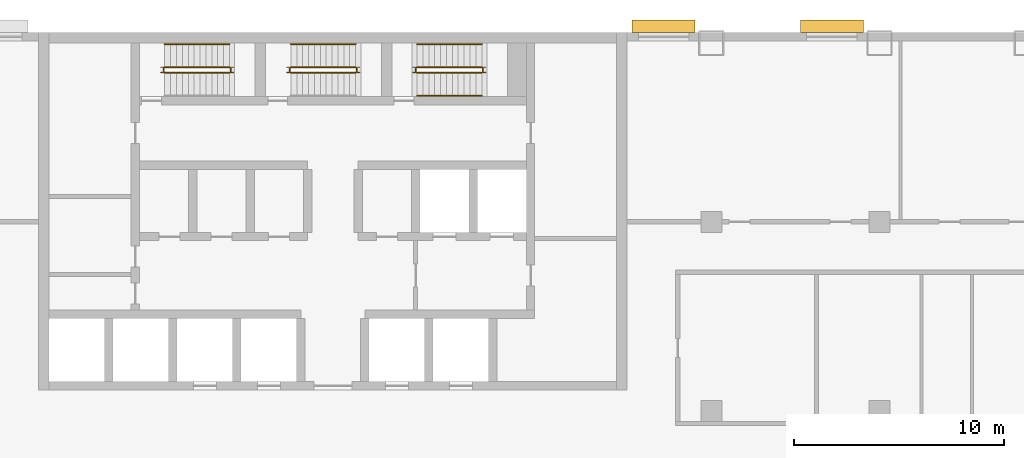
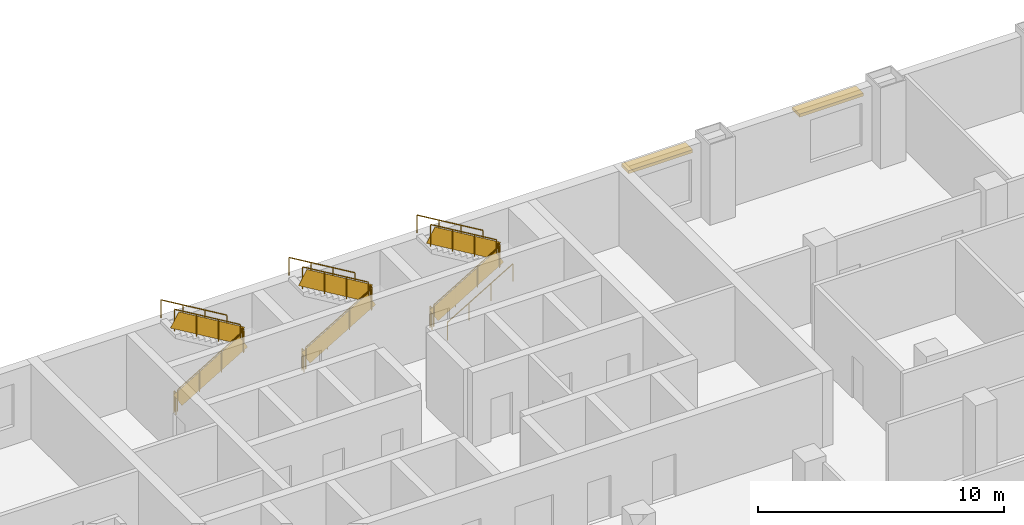
# One storey, part 24 of 25: 16 railings, 2 shading devices.
"""IFC4 building model written with IfcOpenShell, lengths in metres."""

from ifc_helpers import new_model, si_unit, direction, frame, origin, origin_2d, place, context, subcontext, project, spatial, rectangle, circle, extrude, material, layer, layer_set, type_object, element, save


model = new_model("IFC4")

# Units and contexts
model_context = context("Model", 3, precision=1e-05, world=origin(), true_north=direction((0.0, 1.0)))
body_context = subcontext(model_context, "Body", "Model", "MODEL_VIEW")
ifc_project = project(units=[si_unit("LENGTHUNIT", "METRE"), si_unit("AREAUNIT", "SQUARE_METRE"), si_unit("VOLUMEUNIT", "CUBIC_METRE"), si_unit("PLANEANGLEUNIT", "RADIAN"), si_unit("MASSUNIT", "GRAM", prefix="KILO")], contexts=[model_context])

# Site, building, storey
site_placement = place(None, origin())
site = spatial("IfcSite", under=ifc_project, at=site_placement, CompositionType="ELEMENT")
building_placement = place(site_placement, origin())
building = spatial("IfcBuilding", under=site, at=building_placement, Name="Vidyagriha Tower", CompositionType="ELEMENT")
storey_placement = place(building_placement, frame((0.0, 0.0, 18.0)))
storey = spatial("IfcBuildingStorey", under=building, at=storey_placement, Name="L04", CompositionType="ELEMENT", Elevation=18.0)

# Shading devices
ifc_material_1 = material(Name="Precast concrete C40/50 with brick facing", Category="concrete")
ifc_layer = layer(ifc_material_1, 0.14990234375)
ifc_layer_set = layer_set([ifc_layer], Name="Precast concrete C40/50 with brick facing")
shading_device_type = type_object("IfcShadingDeviceType", Name="Brick chhajja window hood", PredefinedType="AWNING", material=ifc_layer_set)
for number, where, z_axis, x_axis, name in (
    (1, (23.735107421875, 20.300048828125, 3.0), (0.0, 0.0, 1.0), (-1.0, 0.0, 0.0), "Window hood L04 R02.10"),
    (2, (15.735107421875, 20.300048828125, 3.0), (0.0, 0.0, 1.0), (-1.0, 0.0, 0.0), "Window hood L04 R02.14"),
):
    element("IfcShadingDevice", number, at=place(storey_placement, frame(where, z_axis=z_axis, x_axis=x_axis)), inside=storey, type_object=shading_device_type, Name=name, PredefinedType="AWNING", context=body_context, shape_type="SweptSolid", body=[
        extrude(rectangle(XDim=3.0, YDim=0.60009765625, at=origin_2d()), origin(), (0.0, 0.0, 1.0), 0.14990234375),
    ])

# Railings
ifc_material_2 = material(Name="Steel ASTM A500 Grade C", Category="steel")
railing_type_1 = type_object("IfcRailingType", Name="Stair guard 1100 mm, steel balustrade", PredefinedType="GUARDRAIL", material=ifc_material_2)
railing_1_placement = place(storey_placement, frame((-8.0, 18.10009765625, 0.166748046875)))
element("IfcRailing", 3, at=railing_1_placement, inside=storey, type_object=railing_type_1, Name="L04 ST1 stair guard 1", PredefinedType="GUARDRAIL", context=body_context, shape_type="SweptSolid", body=[
    extrude(circle(Radius=0.02392578125, at=origin_2d()), frame((0.0, 0.0, 1.076171875), z_axis=(0.859308565015, 0.0, 0.511457515432), x_axis=(0.0, 1.0, 0.0)), (0.0, 0.0, 1.0), 3.58447265625),
    extrude(circle(Radius=0.02099609375, at=origin_2d()), origin(), (0.0, 0.0, 1.0), 1.052001953125),
    extrude(circle(Radius=0.02099609375, at=origin_2d()), frame((1.026611328125, 0.0, 0.611083984375)), (0.0, 0.0, 1.0), 1.052001953125),
    extrude(circle(Radius=0.02099609375, at=origin_2d()), frame((2.053466796875, 0.0, 1.22216796875)), (0.0, 0.0, 1.0), 1.052001953125),
    extrude(circle(Radius=0.02099609375, at=origin_2d()), frame((3.080078125, 0.0, 1.833251953125)), (0.0, 0.0, 1.0), 1.052001953125),
    extrude(rectangle(XDim=0.010009765625, YDim=0.775146484375, at=origin_2d()), frame((0.0, 0.0, 0.551025390625), z_axis=(0.859308565015, 0.0, 0.511457515432), x_axis=(0.0, 1.0, 0.0)), (0.0, 0.0, 1.0), 3.58447265625),
])
railing_2_placement = place(storey_placement, frame((-4.8701171875, 18.14990234375, 2.0)))
element("IfcRailing", 4, at=railing_2_placement, inside=storey, type_object=railing_type_1, Name="L04 ST1 stair guard 2", PredefinedType="GUARDRAIL", context=body_context, shape_type="SweptSolid", body=[
    extrude(circle(Radius=0.02392578125, at=origin_2d()), frame((0.0, 0.0, 1.076171875), z_axis=(0.0, 1.0, 0.0), x_axis=(-1.0, 0.0, 0.0)), (0.0, 0.0, 1.0), 0.150146484375),
    extrude(circle(Radius=0.02099609375, at=origin_2d()), origin(), (0.0, 0.0, 1.0), 1.052001953125),
    extrude(circle(Radius=0.02099609375, at=origin_2d()), frame((0.0, 0.150146484375, 0.0)), (0.0, 0.0, 1.0), 1.052001953125),
    extrude(rectangle(XDim=0.010009765625, YDim=0.902099609375, at=origin_2d()), frame((0.0, 0.0, 0.551025390625), z_axis=(0.0, 1.0, 0.0), x_axis=(-1.0, 0.0, 0.0)), (0.0, 0.0, 1.0), 0.150146484375),
])
railing_3_placement = place(storey_placement, frame((-4.919921875, 18.35009765625, 2.166748046875)))
element("IfcRailing", 5, at=railing_3_placement, inside=storey, type_object=railing_type_1, Name="L04 ST1 stair guard 3", PredefinedType="GUARDRAIL", context=body_context, shape_type="SweptSolid", body=[
    extrude(circle(Radius=0.02392578125, at=origin_2d()), frame((0.0, 0.0, 1.076171875), z_axis=(-0.859308565015, 0.0, 0.511457515432), x_axis=(0.0, -1.0, 0.0)), (0.0, 0.0, 1.0), 3.58447265625),
    extrude(circle(Radius=0.02099609375, at=origin_2d()), origin(), (0.0, 0.0, 1.0), 1.052001953125),
    extrude(circle(Radius=0.02099609375, at=origin_2d()), frame((-1.026611328125, 0.0, 0.611083984375)), (0.0, 0.0, 1.0), 1.052001953125),
    extrude(circle(Radius=0.02099609375, at=origin_2d()), frame((-2.053466796875, 0.0, 1.22216796875)), (0.0, 0.0, 1.0), 1.052001953125),
    extrude(circle(Radius=0.02099609375, at=origin_2d()), frame((-3.080078125, 0.0, 1.833251953125)), (0.0, 0.0, 1.0), 1.052001953125),
    extrude(rectangle(XDim=0.010009765625, YDim=0.775146484375, at=origin_2d()), frame((0.0, 0.0, 0.551025390625), z_axis=(-0.859308565015, 0.0, 0.511457515432), x_axis=(0.0, -1.0, 0.0)), (0.0, 0.0, 1.0), 3.58447265625),
])
railing_4_placement = place(storey_placement, frame((-8.050048828125, 18.14990234375, 0.0)))
element("IfcRailing", 6, at=railing_4_placement, inside=storey, type_object=railing_type_1, Name="L04 ST1 stair guard 4", PredefinedType="GUARDRAIL", context=body_context, shape_type="SweptSolid", body=[
    extrude(circle(Radius=0.02392578125, at=origin_2d()), frame((0.0, 0.0, 1.076171875), z_axis=(0.0, 1.0, 0.0), x_axis=(-1.0, 0.0, 0.0)), (0.0, 0.0, 1.0), 0.150146484375),
    extrude(circle(Radius=0.02099609375, at=origin_2d()), origin(), (0.0, 0.0, 1.0), 1.052001953125),
    extrude(circle(Radius=0.02099609375, at=origin_2d()), frame((0.0, 0.150146484375, 0.0)), (0.0, 0.0, 1.0), 1.052001953125),
    extrude(rectangle(XDim=0.010009765625, YDim=0.902099609375, at=origin_2d()), frame((0.0, 0.0, 0.551025390625), z_axis=(0.0, 1.0, 0.0), x_axis=(-1.0, 0.0, 0.0)), (0.0, 0.0, 1.0), 0.150146484375),
])
railing_5_placement = place(storey_placement, frame((-2.0, 18.10009765625, 0.166748046875)))
element("IfcRailing", 7, at=railing_5_placement, inside=storey, type_object=railing_type_1, Name="L04 ST2 stair guard 1", PredefinedType="GUARDRAIL", context=body_context, shape_type="SweptSolid", body=[
    extrude(circle(Radius=0.02392578125, at=origin_2d()), frame((0.0, 0.0, 1.076171875), z_axis=(0.859308565015, 0.0, 0.511457515432), x_axis=(0.0, 1.0, 0.0)), (0.0, 0.0, 1.0), 3.58447265625),
    extrude(circle(Radius=0.02099609375, at=origin_2d()), origin(), (0.0, 0.0, 1.0), 1.052001953125),
    extrude(circle(Radius=0.02099609375, at=origin_2d()), frame((1.026611328125, 0.0, 0.611083984375)), (0.0, 0.0, 1.0), 1.052001953125),
    extrude(circle(Radius=0.02099609375, at=origin_2d()), frame((2.053466796875, 0.0, 1.22216796875)), (0.0, 0.0, 1.0), 1.052001953125),
    extrude(circle(Radius=0.02099609375, at=origin_2d()), frame((3.080078125, 0.0, 1.833251953125)), (0.0, 0.0, 1.0), 1.052001953125),
    extrude(rectangle(XDim=0.010009765625, YDim=0.775146484375, at=origin_2d()), frame((0.0, 0.0, 0.551025390625), z_axis=(0.859308565015, 0.0, 0.511457515432), x_axis=(0.0, 1.0, 0.0)), (0.0, 0.0, 1.0), 3.58447265625),
])
railing_6_placement = place(storey_placement, frame((1.1298828125, 18.14990234375, 2.0)))
element("IfcRailing", 8, at=railing_6_placement, inside=storey, type_object=railing_type_1, Name="L04 ST2 stair guard 2", PredefinedType="GUARDRAIL", context=body_context, shape_type="SweptSolid", body=[
    extrude(circle(Radius=0.02392578125, at=origin_2d()), frame((0.0, 0.0, 1.076171875), z_axis=(0.0, 1.0, 0.0), x_axis=(-1.0, 0.0, 0.0)), (0.0, 0.0, 1.0), 0.150146484375),
    extrude(circle(Radius=0.02099609375, at=origin_2d()), origin(), (0.0, 0.0, 1.0), 1.052001953125),
    extrude(circle(Radius=0.02099609375, at=origin_2d()), frame((0.0, 0.150146484375, 0.0)), (0.0, 0.0, 1.0), 1.052001953125),
    extrude(rectangle(XDim=0.010009765625, YDim=0.902099609375, at=origin_2d()), frame((0.0, 0.0, 0.551025390625), z_axis=(0.0, 1.0, 0.0), x_axis=(-1.0, 0.0, 0.0)), (0.0, 0.0, 1.0), 0.150146484375),
])
railing_7_placement = place(storey_placement, frame((1.080078125, 18.35009765625, 2.166748046875)))
element("IfcRailing", 9, at=railing_7_placement, inside=storey, type_object=railing_type_1, Name="L04 ST2 stair guard 3", PredefinedType="GUARDRAIL", context=body_context, shape_type="SweptSolid", body=[
    extrude(circle(Radius=0.02392578125, at=origin_2d()), frame((0.0, 0.0, 1.076171875), z_axis=(-0.859308565015, 0.0, 0.511457515432), x_axis=(0.0, -1.0, 0.0)), (0.0, 0.0, 1.0), 3.58447265625),
    extrude(circle(Radius=0.02099609375, at=origin_2d()), origin(), (0.0, 0.0, 1.0), 1.052001953125),
    extrude(circle(Radius=0.02099609375, at=origin_2d()), frame((-1.026611328125, 0.0, 0.611083984375)), (0.0, 0.0, 1.0), 1.052001953125),
    extrude(circle(Radius=0.02099609375, at=origin_2d()), frame((-2.053466796875, 0.0, 1.22216796875)), (0.0, 0.0, 1.0), 1.052001953125),
    extrude(circle(Radius=0.02099609375, at=origin_2d()), frame((-3.080078125, 0.0, 1.833251953125)), (0.0, 0.0, 1.0), 1.052001953125),
    extrude(rectangle(XDim=0.010009765625, YDim=0.775146484375, at=origin_2d()), frame((0.0, 0.0, 0.551025390625), z_axis=(-0.859308565015, 0.0, 0.511457515432), x_axis=(0.0, -1.0, 0.0)), (0.0, 0.0, 1.0), 3.58447265625),
])
railing_8_placement = place(storey_placement, frame((-2.050048828125, 18.14990234375, 0.0)))
element("IfcRailing", 10, at=railing_8_placement, inside=storey, type_object=railing_type_1, Name="L04 ST2 stair guard 4", PredefinedType="GUARDRAIL", context=body_context, shape_type="SweptSolid", body=[
    extrude(circle(Radius=0.02392578125, at=origin_2d()), frame((0.0, 0.0, 1.076171875), z_axis=(0.0, 1.0, 0.0), x_axis=(-1.0, 0.0, 0.0)), (0.0, 0.0, 1.0), 0.150146484375),
    extrude(circle(Radius=0.02099609375, at=origin_2d()), origin(), (0.0, 0.0, 1.0), 1.052001953125),
    extrude(circle(Radius=0.02099609375, at=origin_2d()), frame((0.0, 0.150146484375, 0.0)), (0.0, 0.0, 1.0), 1.052001953125),
    extrude(rectangle(XDim=0.010009765625, YDim=0.902099609375, at=origin_2d()), frame((0.0, 0.0, 0.551025390625), z_axis=(0.0, 1.0, 0.0), x_axis=(-1.0, 0.0, 0.0)), (0.0, 0.0, 1.0), 0.150146484375),
])
railing_9_placement = place(storey_placement, frame((4.0, 18.10009765625, 0.166748046875)))
element("IfcRailing", 11, at=railing_9_placement, inside=storey, type_object=railing_type_1, Name="L04 ST3 stair guard 1", PredefinedType="GUARDRAIL", context=body_context, shape_type="SweptSolid", body=[
    extrude(circle(Radius=0.02392578125, at=origin_2d()), frame((0.0, 0.0, 1.076171875), z_axis=(0.859308565015, 0.0, 0.511457515432), x_axis=(0.0, 1.0, 0.0)), (0.0, 0.0, 1.0), 3.58447265625),
    extrude(circle(Radius=0.02099609375, at=origin_2d()), origin(), (0.0, 0.0, 1.0), 1.052001953125),
    extrude(circle(Radius=0.02099609375, at=origin_2d()), frame((1.026611328125, 0.0, 0.611083984375)), (0.0, 0.0, 1.0), 1.052001953125),
    extrude(circle(Radius=0.02099609375, at=origin_2d()), frame((2.053466796875, 0.0, 1.22216796875)), (0.0, 0.0, 1.0), 1.052001953125),
    extrude(circle(Radius=0.02099609375, at=origin_2d()), frame((3.080078125, 0.0, 1.833251953125)), (0.0, 0.0, 1.0), 1.052001953125),
    extrude(rectangle(XDim=0.010009765625, YDim=0.775146484375, at=origin_2d()), frame((0.0, 0.0, 0.551025390625), z_axis=(0.859308565015, 0.0, 0.511457515432), x_axis=(0.0, 1.0, 0.0)), (0.0, 0.0, 1.0), 3.58447265625),
])
railing_10_placement = place(storey_placement, frame((7.1298828125, 18.14990234375, 2.0)))
element("IfcRailing", 12, at=railing_10_placement, inside=storey, type_object=railing_type_1, Name="L04 ST3 stair guard 2", PredefinedType="GUARDRAIL", context=body_context, shape_type="SweptSolid", body=[
    extrude(circle(Radius=0.02392578125, at=origin_2d()), frame((0.0, 0.0, 1.076171875), z_axis=(0.0, 1.0, 0.0), x_axis=(-1.0, 0.0, 0.0)), (0.0, 0.0, 1.0), 0.150146484375),
    extrude(circle(Radius=0.02099609375, at=origin_2d()), origin(), (0.0, 0.0, 1.0), 1.052001953125),
    extrude(circle(Radius=0.02099609375, at=origin_2d()), frame((0.0, 0.150146484375, 0.0)), (0.0, 0.0, 1.0), 1.052001953125),
    extrude(rectangle(XDim=0.010009765625, YDim=0.902099609375, at=origin_2d()), frame((0.0, 0.0, 0.551025390625), z_axis=(0.0, 1.0, 0.0), x_axis=(-1.0, 0.0, 0.0)), (0.0, 0.0, 1.0), 0.150146484375),
])
railing_11_placement = place(storey_placement, frame((7.080078125, 18.35009765625, 2.166748046875)))
element("IfcRailing", 13, at=railing_11_placement, inside=storey, type_object=railing_type_1, Name="L04 ST3 stair guard 3", PredefinedType="GUARDRAIL", context=body_context, shape_type="SweptSolid", body=[
    extrude(circle(Radius=0.02392578125, at=origin_2d()), frame((0.0, 0.0, 1.076171875), z_axis=(-0.859308565015, 0.0, 0.511457515432), x_axis=(0.0, -1.0, 0.0)), (0.0, 0.0, 1.0), 3.58447265625),
    extrude(circle(Radius=0.02099609375, at=origin_2d()), origin(), (0.0, 0.0, 1.0), 1.052001953125),
    extrude(circle(Radius=0.02099609375, at=origin_2d()), frame((-1.026611328125, 0.0, 0.611083984375)), (0.0, 0.0, 1.0), 1.052001953125),
    extrude(circle(Radius=0.02099609375, at=origin_2d()), frame((-2.053466796875, 0.0, 1.22216796875)), (0.0, 0.0, 1.0), 1.052001953125),
    extrude(circle(Radius=0.02099609375, at=origin_2d()), frame((-3.080078125, 0.0, 1.833251953125)), (0.0, 0.0, 1.0), 1.052001953125),
    extrude(rectangle(XDim=0.010009765625, YDim=0.775146484375, at=origin_2d()), frame((0.0, 0.0, 0.551025390625), z_axis=(-0.859308565015, 0.0, 0.511457515432), x_axis=(0.0, -1.0, 0.0)), (0.0, 0.0, 1.0), 3.58447265625),
])
railing_12_placement = place(storey_placement, frame((3.949951171875, 18.14990234375, 0.0)))
element("IfcRailing", 14, at=railing_12_placement, inside=storey, type_object=railing_type_1, Name="L04 ST3 stair guard 4", PredefinedType="GUARDRAIL", context=body_context, shape_type="SweptSolid", body=[
    extrude(circle(Radius=0.02392578125, at=origin_2d()), frame((0.0, 0.0, 1.076171875), z_axis=(0.0, 1.0, 0.0), x_axis=(-1.0, 0.0, 0.0)), (0.0, 0.0, 1.0), 0.150146484375),
    extrude(circle(Radius=0.02099609375, at=origin_2d()), origin(), (0.0, 0.0, 1.0), 1.052001953125),
    extrude(circle(Radius=0.02099609375, at=origin_2d()), frame((0.0, 0.150146484375, 0.0)), (0.0, 0.0, 1.0), 1.052001953125),
    extrude(rectangle(XDim=0.010009765625, YDim=0.902099609375, at=origin_2d()), frame((0.0, 0.0, 0.551025390625), z_axis=(0.0, 1.0, 0.0), x_axis=(-1.0, 0.0, 0.0)), (0.0, 0.0, 1.0), 0.150146484375),
])
ifc_material_3 = material(Name="Steel ASTM A500 Grade C", Category="steel")
railing_type_2 = type_object("IfcRailingType", Name="Stair handrail 900 mm, steel", PredefinedType="HANDRAIL", material=ifc_material_3)
for number, where, name in (
    (15, (-4.919921875, 19.449951171875, 2.166748046875), "L04 ST1 stair handrail 2"),
    (16, (1.080078125, 19.449951171875, 2.166748046875), "L04 ST2 stair handrail 2"),
):
    element("IfcRailing", number, at=place(storey_placement, frame(where)), inside=storey, type_object=railing_type_2, Name=name, PredefinedType="HANDRAIL", context=body_context, shape_type="SweptSolid", body=[
        extrude(circle(Radius=0.02392578125, at=origin_2d()), frame((0.0, 0.0, 0.8759765625), z_axis=(-0.859308565015, 0.0, 0.511457515432), x_axis=(0.0, -1.0, 0.0)), (0.0, 0.0, 1.0), 3.58447265625),
        extrude(circle(Radius=0.02099609375, at=origin_2d()), origin(), (0.0, 0.0, 1.0), 0.851806640625),
        extrude(circle(Radius=0.02099609375, at=origin_2d()), frame((-1.026611328125, 0.0, 0.611083984375)), (0.0, 0.0, 1.0), 0.851806640625),
        extrude(circle(Radius=0.02099609375, at=origin_2d()), frame((-2.053466796875, 0.0, 1.22216796875)), (0.0, 0.0, 1.0), 0.851806640625),
        extrude(circle(Radius=0.02099609375, at=origin_2d()), frame((-3.080078125, 0.0, 1.833251953125)), (0.0, 0.0, 1.0), 0.851806640625),
    ])
railing_13_placement = place(storey_placement, frame((4.0, 17.0, 0.166748046875)))
element("IfcRailing", 17, at=railing_13_placement, inside=storey, type_object=railing_type_2, Name="L04 ST3 stair handrail 1", PredefinedType="HANDRAIL", context=body_context, shape_type="SweptSolid", body=[
    extrude(circle(Radius=0.02392578125, at=origin_2d()), frame((0.0, 0.0, 0.8759765625), z_axis=(0.859308565015, 0.0, 0.511457515432), x_axis=(0.0, 1.0, 0.0)), (0.0, 0.0, 1.0), 3.58447265625),
    extrude(circle(Radius=0.02099609375, at=origin_2d()), origin(), (0.0, 0.0, 1.0), 0.851806640625),
    extrude(circle(Radius=0.02099609375, at=origin_2d()), frame((1.026611328125, 0.0, 0.611083984375)), (0.0, 0.0, 1.0), 0.851806640625),
    extrude(circle(Radius=0.02099609375, at=origin_2d()), frame((2.053466796875, 0.0, 1.22216796875)), (0.0, 0.0, 1.0), 0.851806640625),
    extrude(circle(Radius=0.02099609375, at=origin_2d()), frame((3.080078125, 0.0, 1.833251953125)), (0.0, 0.0, 1.0), 0.851806640625),
])
railing_14_placement = place(storey_placement, frame((7.080078125, 19.449951171875, 2.166748046875)))
element("IfcRailing", 18, at=railing_14_placement, inside=storey, type_object=railing_type_2, Name="L04 ST3 stair handrail 2", PredefinedType="HANDRAIL", context=body_context, shape_type="SweptSolid", body=[
    extrude(circle(Radius=0.02392578125, at=origin_2d()), frame((0.0, 0.0, 0.8759765625), z_axis=(-0.859308565015, 0.0, 0.511457515432), x_axis=(0.0, -1.0, 0.0)), (0.0, 0.0, 1.0), 3.58447265625),
    extrude(circle(Radius=0.02099609375, at=origin_2d()), origin(), (0.0, 0.0, 1.0), 0.851806640625),
    extrude(circle(Radius=0.02099609375, at=origin_2d()), frame((-1.026611328125, 0.0, 0.611083984375)), (0.0, 0.0, 1.0), 0.851806640625),
    extrude(circle(Radius=0.02099609375, at=origin_2d()), frame((-2.053466796875, 0.0, 1.22216796875)), (0.0, 0.0, 1.0), 0.851806640625),
    extrude(circle(Radius=0.02099609375, at=origin_2d()), frame((-3.080078125, 0.0, 1.833251953125)), (0.0, 0.0, 1.0), 0.851806640625),
])

save(model, "model.ifc")
